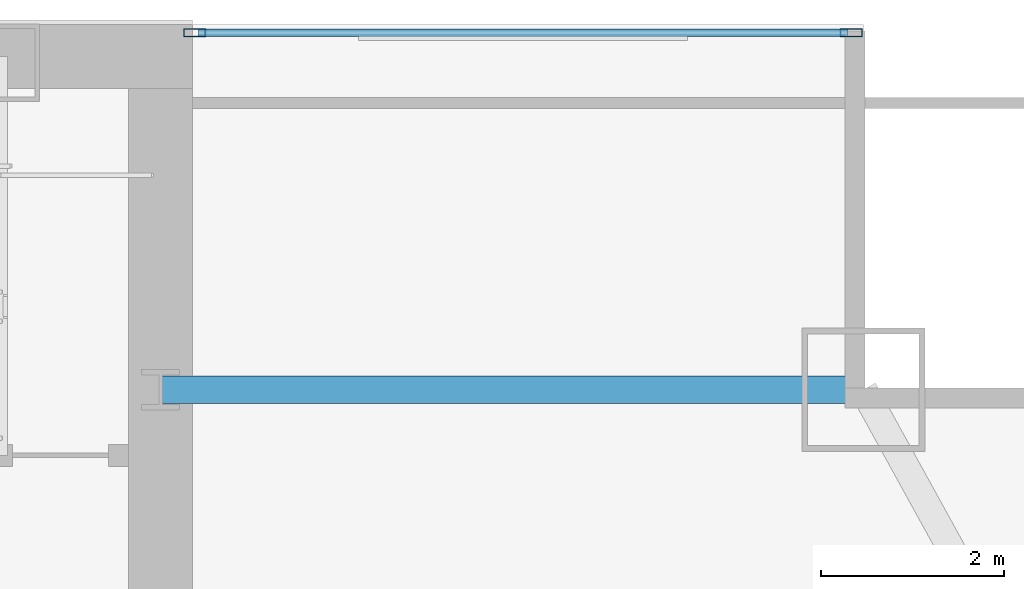
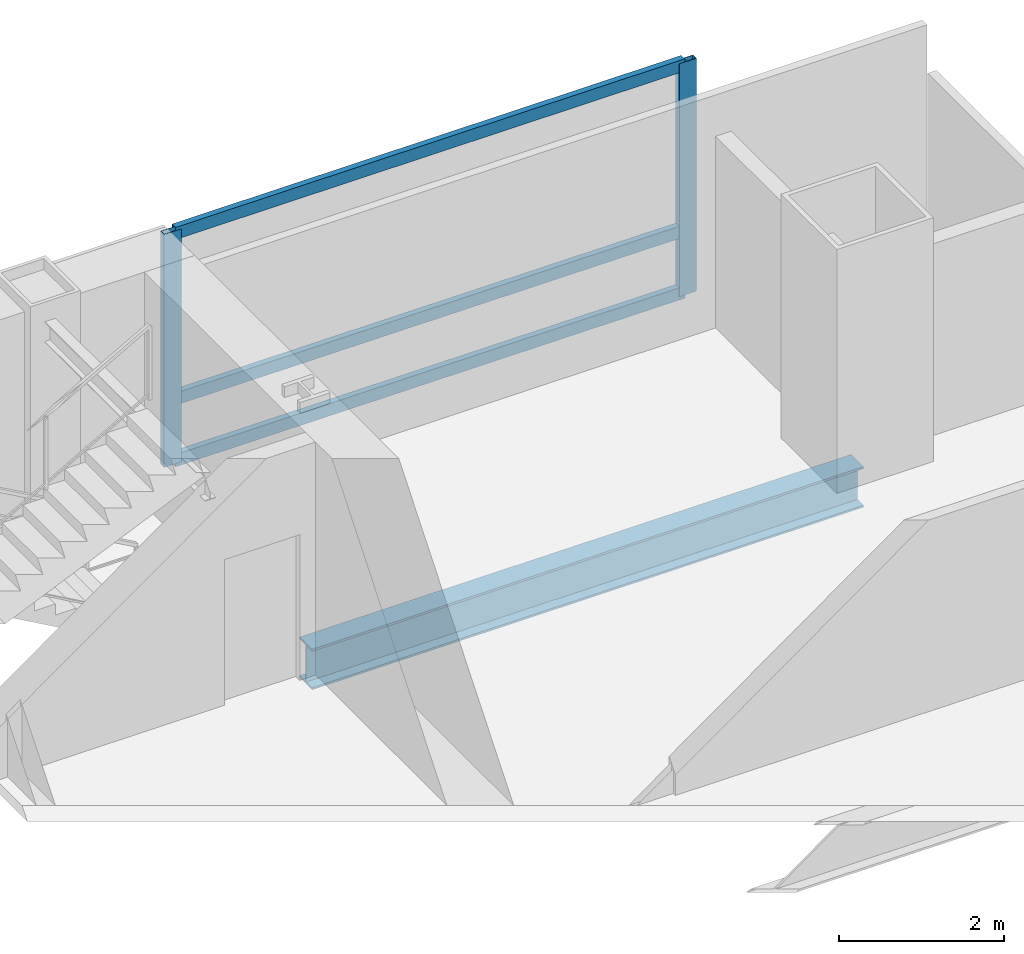
# One storey, part 20 of 29: 5 members, 1 beam, 1 element without a shape of its own.
"""IFC4 building model written with IfcOpenShell, lengths in metres."""

from ifc_helpers import new_model, si_unit, direction, frame, origin, origin_2d, place, context, subcontext, project, spatial, hollow_rectangle, i_section, extrude, material, material_profile, profile_set, type_object, element, aggregate, save


model = new_model("IFC4")

# Units and contexts
model_context = context("Model", 3, precision=1e-05, world=origin(), true_north=direction((0.0, 1.0)))
body_context = subcontext(model_context, "Body", "Model", "MODEL_VIEW")
ifc_project = project(units=[si_unit("LENGTHUNIT", "METRE"), si_unit("AREAUNIT", "SQUARE_METRE"), si_unit("VOLUMEUNIT", "CUBIC_METRE"), si_unit("PLANEANGLEUNIT", "RADIAN"), si_unit("MASSUNIT", "GRAM", prefix="KILO")], contexts=[model_context])

# Site, building, storey
site_placement = place(None, origin())
site = spatial("IfcSite", under=ifc_project, at=site_placement, CompositionType="ELEMENT")
building_placement = place(site_placement, origin())
building = spatial("IfcBuilding", under=site, at=building_placement, Name="Khoronbel Lancet Exchange", CompositionType="ELEMENT")
storey_placement = place(building_placement, frame((0.0, 0.0, 154.199951171875)))
storey = spatial("IfcBuildingStorey", under=building, at=storey_placement, Name="L38", CompositionType="ELEMENT", Elevation=154.199951171875)

# Beam
ifc_material_1 = material(Name="Steel S355", Category="steel")
ifc_material_profile_1 = material_profile(ifc_material_1, i_section(OverallWidth=0.300048828125, OverallDepth=0.60009765625, WebThickness=0.015380859375, FlangeThickness=0.030029296875, at=origin_2d()), Name="HEB 600")
ifc_profile_set_1 = profile_set([ifc_material_profile_1], Name="Steel S355")
beam_type = type_object("IfcBeamType", Name="BM-BSP2", PredefinedType="SPANDREL", material=ifc_profile_set_1)
beam_placement = place(storey_placement, frame((64.050048828125, 49.699951171875, -0.4599609375), z_axis=(-1.0, 0.0, 0.0), x_axis=(0.0, -1.0, 0.0)))
element("IfcBeam", 1, at=beam_placement, inside=storey, type_object=beam_type, Name="Level L38 north flank tie spandrel SP23", PredefinedType="SPANDREL", context=body_context, shape_type="SweptSolid", body=[
    extrude(i_section(OverallWidth=0.300048828125, OverallDepth=0.60009765625, WebThickness=0.015380859375, FlangeThickness=0.030029296875, at=origin_2d()), origin(), (0.0, 0.0, 1.0), 7.699951171875),
])

# Curtain wall, members
ifc_material_2 = material(Name="Low-E Solar Control Insulating Glass", Category="glass")
curtain_wall_type = type_object("IfcCurtainWallType", Name="CW-3", PredefinedType="NOTDEFINED", material=ifc_material_2)
curtain_wall_placement = place(storey_placement, origin())
curtain_wall = element("IfcCurtainWall", 2, at=curtain_wall_placement, inside=storey, type_object=curtain_wall_type, Name="Unitised curtain wall CW-L38-NEFLK", PredefinedType="NOTDEFINED")
ifc_material_3 = material(Name="Bronze-Anodised Aluminium 6063-T6", Category="aluminium")
ifc_material_profile_2 = material_profile(ifc_material_3, hollow_rectangle(XDim=0.0849609375, YDim=0.239990234375, WallThickness=0.006103515625, at=origin_2d()), Name="ALU MULLION 85x240")
ifc_profile_set_2 = profile_set([ifc_material_profile_2], Name="Bronze-Anodised Aluminium 6063-T6")
member_type_1 = type_object("IfcMemberType", Name="MEM-CWM1", PredefinedType="MULLION", material=ifc_profile_set_2)
member_1_placement = place(storey_placement, frame((63.91748046875, 53.610107421875, 0.0), z_axis=(0.0, 0.0, 1.0), x_axis=(0.0, -1.0, 0.0)))
member_1 = element("IfcMember", 3, at=member_1_placement, type_object=member_type_1, Name="CW3 mullion 1", PredefinedType="MULLION", context=body_context, shape_type="SweptSolid", body=[
    extrude(hollow_rectangle(XDim=0.0849609375, YDim=0.239990234375, WallThickness=0.006103515625, at=origin_2d()), origin(), (0.0, 0.0, 1.0), 3.43994140625),
])
member_2_placement = place(storey_placement, frame((56.722412109375, 53.610107421875, 0.0), z_axis=(0.0, 0.0, 1.0), x_axis=(0.0, -1.0, 0.0)))
member_2 = element("IfcMember", 4, at=member_2_placement, type_object=member_type_1, Name="CW3 mullion 2", PredefinedType="MULLION", context=body_context, shape_type="SweptSolid", body=[
    extrude(hollow_rectangle(XDim=0.0849609375, YDim=0.239990234375, WallThickness=0.006103515625, at=origin_2d()), origin(), (0.0, 0.0, 1.0), 3.43994140625),
])
ifc_material_profile_3 = material_profile(ifc_material_3, hollow_rectangle(XDim=0.0849609375, YDim=0.179931640625, WallThickness=0.0048828125, at=origin_2d()), Name="ALU TRANSOM 85x180")
ifc_profile_set_3 = profile_set([ifc_material_profile_3], Name="Bronze-Anodised Aluminium 6063-T6")
member_type_2 = type_object("IfcMemberType", Name="MEM-CWT1", PredefinedType="USERDEFINED", material=ifc_profile_set_3)
member_3_placement = place(storey_placement, frame((63.875, 53.610107421875, 0.04248046875), z_axis=(-1.0, 0.0, 0.0), x_axis=(0.0, -1.0, 0.0)))
member_3 = element("IfcMember", 5, at=member_3_placement, type_object=member_type_2, Name="CW3 transom 1.1", ObjectType="TRANSOM", PredefinedType="USERDEFINED", context=body_context, shape_type="SweptSolid", body=[
    extrude(hollow_rectangle(XDim=0.0849609375, YDim=0.179931640625, WallThickness=0.0048828125, at=origin_2d()), origin(), (0.0, 0.0, 1.0), 7.110107421875),
])
member_4_placement = place(storey_placement, frame((63.875, 53.610107421875, 0.949951171875), z_axis=(-1.0, 0.0, 0.0), x_axis=(0.0, -1.0, 0.0)))
member_4 = element("IfcMember", 6, at=member_4_placement, type_object=member_type_2, Name="CW3 transom 1.2", ObjectType="TRANSOM", PredefinedType="USERDEFINED", context=body_context, shape_type="SweptSolid", body=[
    extrude(hollow_rectangle(XDim=0.0849609375, YDim=0.179931640625, WallThickness=0.0048828125, at=origin_2d()), origin(), (0.0, 0.0, 1.0), 7.110107421875),
])
member_5_placement = place(storey_placement, frame((63.875, 53.610107421875, 3.3974609375), z_axis=(-1.0, 0.0, 0.0), x_axis=(0.0, -1.0, 0.0)))
member_5 = element("IfcMember", 7, at=member_5_placement, type_object=member_type_2, Name="CW3 transom 1.3", ObjectType="TRANSOM", PredefinedType="USERDEFINED", context=body_context, shape_type="SweptSolid", body=[
    extrude(hollow_rectangle(XDim=0.0849609375, YDim=0.179931640625, WallThickness=0.0048828125, at=origin_2d()), origin(), (0.0, 0.0, 1.0), 7.110107421875),
])
aggregate(curtain_wall, [member_1, member_2, member_3, member_4, member_5])

save(model, "model.ifc")
